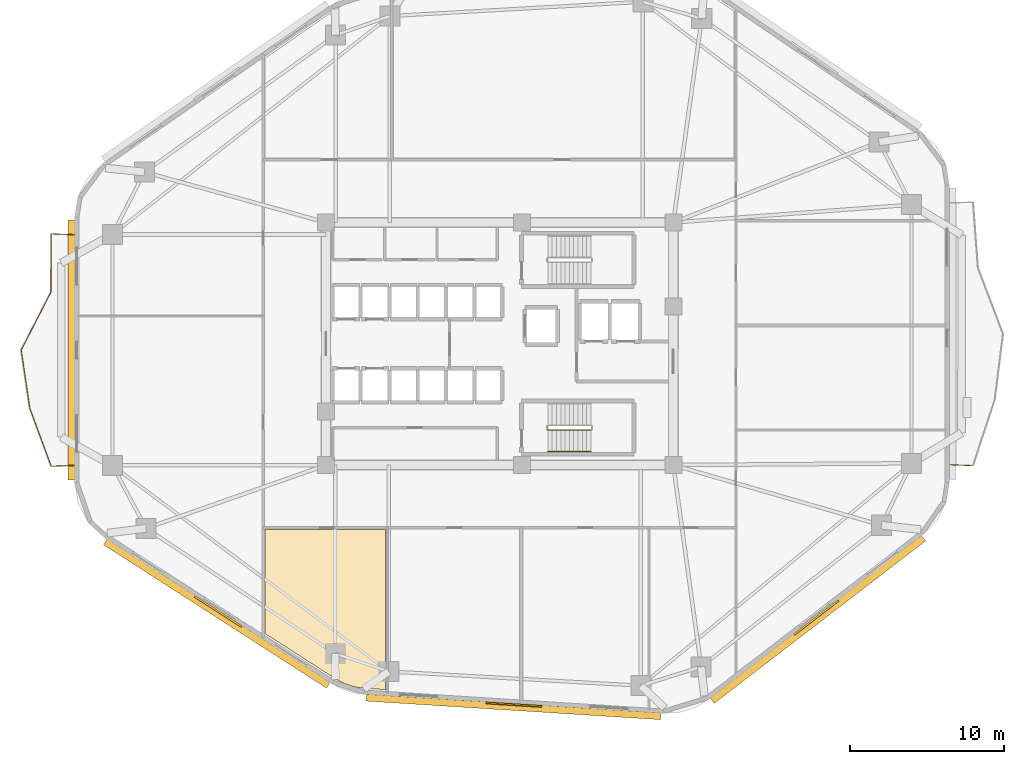
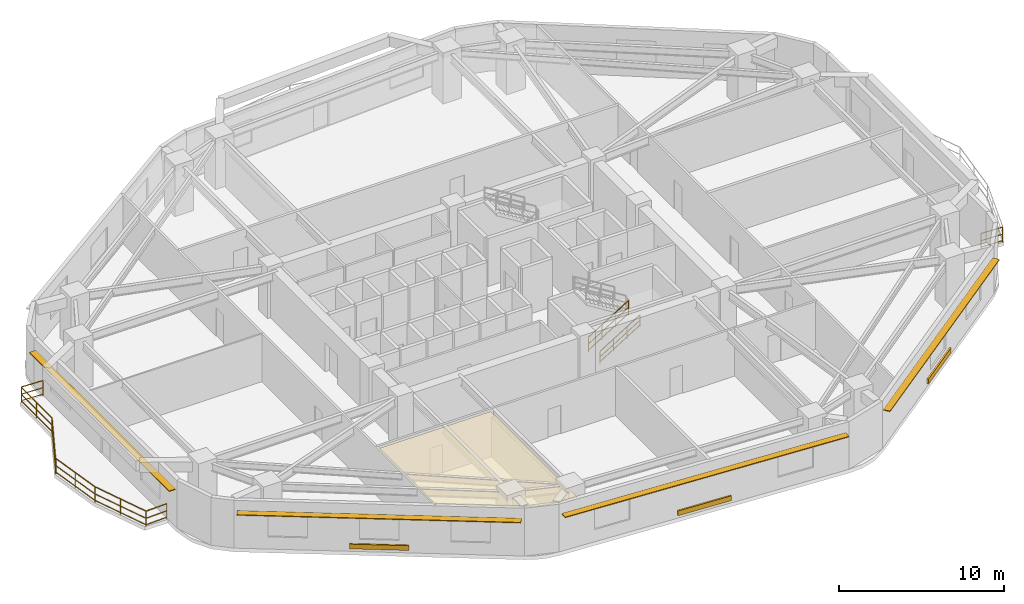
# One storey, part 7 of 9: 9 railings, 7 shading devices, 1 covering.
"""IFC4 building model written with IfcOpenShell, lengths in metres."""

from ifc_helpers import new_model, si_unit, direction, frame, origin, origin_2d, place, context, subcontext, project, spatial, polyline, rectangle, outline, extrude, material, layer, layer_set, type_object, element, save


model = new_model("IFC4")

# Units and contexts
model_context = context("Model", 3, precision=1e-05, world=origin(), true_north=direction((0.0, 1.0)))
body_context = subcontext(model_context, "Body", "Model", "MODEL_VIEW")
ifc_project = project(units=[si_unit("LENGTHUNIT", "METRE"), si_unit("AREAUNIT", "SQUARE_METRE"), si_unit("VOLUMEUNIT", "CUBIC_METRE"), si_unit("PLANEANGLEUNIT", "RADIAN"), si_unit("MASSUNIT", "GRAM", prefix="KILO")], contexts=[model_context])

# Site, building, storey
site_placement = place(None, origin())
site = spatial("IfcSite", under=ifc_project, at=site_placement, CompositionType="ELEMENT")
building_placement = place(site_placement, origin())
building = spatial("IfcBuilding", under=site, at=building_placement, Name="Zulverin Broadcast Headquarters", CompositionType="ELEMENT")
storey_placement = place(building_placement, frame((0.0, 0.0, 59.199951171875)))
storey = spatial("IfcBuildingStorey", under=building, at=storey_placement, Name="L14", CompositionType="ELEMENT", Elevation=59.199951171875)

# Covering
ifc_material_1 = material(Name="Perforated pale-metal acoustic baffle ceiling", Category="aluminium")
ifc_layer_1 = layer(ifc_material_1, 0.0400390625, Name="Perforated pale-metal acoustic baffle ceiling", Category="aluminium")
ifc_layer_set_1 = layer_set([ifc_layer_1], Name="Perforated pale-metal acoustic baffle ceiling")
covering_type = type_object("IfcCoveringType", Name="COV-CEIL-ACOU", PredefinedType="CEILING", material=ifc_layer_set_1)
covering_placement = place(storey_placement, frame((0.0, 0.0, 3.344970703125)))
element("IfcCovering", 1, at=covering_placement, inside=storey, type_object=covering_type, Name="L14 Acoustic Baffle Ceiling 03", PredefinedType="CEILING", context=body_context, shape_type="SweptSolid", body=[
    extrude(outline(polyline([(21.77197265625, 13.132080078125), (21.77197265625, 6.3759765625), (26.347900390625, 3.43603515625), (26.931884765625, 3.1279296875), (27.5439453125, 2.924072265625), (28.19189453125, 2.83203125), (29.580078125, 2.743896484375), (29.580078125, 13.132080078125), (21.77197265625, 13.132080078125)])), origin(), (0.0, 0.0, 1.0), 0.0400390625),
])

# Railings
ifc_material_2 = material(Name="Brushed stainless steel & laminated glass balustrade", Category="steel")
railing_type_1 = type_object("IfcRailingType", Name="RL-GUARD-1150", PredefinedType="GUARDRAIL", material=ifc_material_2)
railing_1_placement = place(storey_placement, frame((66.239990234375, 17.343505859375, 0.0)))
element("IfcRailing", 2, at=railing_1_placement, inside=storey, type_object=railing_type_1, Name="L14 Vertical-Forest Balcony Guardrail BAL_E Segment 01", PredefinedType="GUARDRAIL", context=body_context, shape_type="SweptSolid", body=[
    extrude(rectangle(XDim=0.048095703125, YDim=0.048095703125, at=origin_2d()), frame((0.0, 0.0, 1.1259765625), z_axis=(0.999174410196, -0.040626321628, 0.0), x_axis=(0.040626321628, 0.999174410196, 0.0)), (0.0, 0.0, 1.0), 1.46630859375),
    extrude(rectangle(XDim=0.0419921875, YDim=0.0419921875, at=origin_2d()), frame((0.0, 0.0, 0.597900390625), z_axis=(0.999174410196, -0.040626321628, 0.0), x_axis=(0.040626321628, 0.999174410196, 0.0)), (0.0, 0.0, 1.0), 1.46630859375),
    extrude(rectangle(XDim=0.0419921875, YDim=0.0419921875, at=origin_2d()), frame((0.0, 0.0, 0.1201171875), z_axis=(0.999174410196, -0.040626321628, 0.0), x_axis=(0.040626321628, 0.999174410196, 0.0)), (0.0, 0.0, 1.0), 1.46630859375),
    extrude(rectangle(XDim=0.0419921875, YDim=0.0419921875, at=origin_2d()), origin(), (0.0, 0.0, 1.0), 1.101806640625),
    extrude(rectangle(XDim=0.0419921875, YDim=0.0419921875, at=origin_2d()), frame((1.465087890625, -0.0595703125, 0.0)), (0.0, 0.0, 1.0), 1.101806640625),
])
railing_2_placement = place(storey_placement, frame((9.360107421875, 32.284423828125, 0.0)))
element("IfcRailing", 3, at=railing_2_placement, inside=storey, type_object=railing_type_1, Name="L14 Vertical-Forest Balcony Guardrail BAL_W Segment 01", PredefinedType="GUARDRAIL", context=body_context, shape_type="SweptSolid", body=[
    extrude(rectangle(XDim=0.048095703125, YDim=0.048095703125, at=origin_2d()), frame((0.0, 0.0, 1.1259765625), z_axis=(-0.999181155166, 0.040460093435, 0.0), x_axis=(-0.040460093435, -0.999181155166, 0.0)), (0.0, 0.0, 1.0), 1.46630859375),
    extrude(rectangle(XDim=0.0419921875, YDim=0.0419921875, at=origin_2d()), frame((0.0, 0.0, 0.597900390625), z_axis=(-0.999181155166, 0.040460093435, 0.0), x_axis=(-0.040460093435, -0.999181155166, 0.0)), (0.0, 0.0, 1.0), 1.46630859375),
    extrude(rectangle(XDim=0.0419921875, YDim=0.0419921875, at=origin_2d()), frame((0.0, 0.0, 0.1201171875), z_axis=(-0.999181155166, 0.040460093435, 0.0), x_axis=(-0.040460093435, -0.999181155166, 0.0)), (0.0, 0.0, 1.0), 1.46630859375),
    extrude(rectangle(XDim=0.0419921875, YDim=0.0419921875, at=origin_2d()), origin(), (0.0, 0.0, 1.0), 1.101806640625),
    extrude(rectangle(XDim=0.0419921875, YDim=0.0419921875, at=origin_2d()), frame((-1.465087890625, 0.059326171875, 0.0)), (0.0, 0.0, 1.0), 1.101806640625),
])
railing_3_placement = place(storey_placement, frame((7.8798828125, 32.329345703125, 0.0)))
element("IfcRailing", 4, at=railing_3_placement, inside=storey, type_object=railing_type_1, Name="L14 Vertical-Forest Balcony Guardrail BAL_W Segment 02", PredefinedType="GUARDRAIL", context=body_context, shape_type="SweptSolid", body=[
    extrude(rectangle(XDim=0.048095703125, YDim=0.048095703125, at=origin_2d()), frame((0.0, 0.0, 1.1259765625), z_axis=(-0.003911312976, -0.999992350786, 0.0), x_axis=(0.999992350786, -0.003911312976, 0.0)), (0.0, 0.0, 1.0), 3.7451171875),
    extrude(rectangle(XDim=0.0419921875, YDim=0.0419921875, at=origin_2d()), frame((0.0, 0.0, 0.597900390625), z_axis=(-0.003911312976, -0.999992350786, 0.0), x_axis=(0.999992350786, -0.003911312976, 0.0)), (0.0, 0.0, 1.0), 3.7451171875),
    extrude(rectangle(XDim=0.0419921875, YDim=0.0419921875, at=origin_2d()), frame((0.0, 0.0, 0.1201171875), z_axis=(-0.003911312976, -0.999992350786, 0.0), x_axis=(0.999992350786, -0.003911312976, 0.0)), (0.0, 0.0, 1.0), 3.7451171875),
    extrude(rectangle(XDim=0.0419921875, YDim=0.0419921875, at=origin_2d()), origin(), (0.0, 0.0, 1.0), 1.101806640625),
    extrude(rectangle(XDim=0.0419921875, YDim=0.0419921875, at=origin_2d()), frame((-0.00732421875, -1.87255859375, 0.0)), (0.0, 0.0, 1.0), 1.101806640625),
    extrude(rectangle(XDim=0.0419921875, YDim=0.0419921875, at=origin_2d()), frame((-0.0146484375, -3.7451171875, 0.0)), (0.0, 0.0, 1.0), 1.101806640625),
])
railing_4_placement = place(storey_placement, frame((7.8583984375, 28.555908203125, 0.0)))
element("IfcRailing", 5, at=railing_4_placement, inside=storey, type_object=railing_type_1, Name="L14 Vertical-Forest Balcony Guardrail BAL_W Segment 03", PredefinedType="GUARDRAIL", context=body_context, shape_type="SweptSolid", body=[
    extrude(rectangle(XDim=0.048095703125, YDim=0.048095703125, at=origin_2d()), frame((0.0, 0.0, 1.1259765625), z_axis=(-0.456186033924, -0.889884432077, 0.0), x_axis=(0.889884432077, -0.456186033924, 0.0)), (0.0, 0.0, 1.0), 4.21240234375),
    extrude(rectangle(XDim=0.0419921875, YDim=0.0419921875, at=origin_2d()), frame((0.0, 0.0, 0.597900390625), z_axis=(-0.456186033924, -0.889884432077, 0.0), x_axis=(0.889884432077, -0.456186033924, 0.0)), (0.0, 0.0, 1.0), 4.21240234375),
    extrude(rectangle(XDim=0.0419921875, YDim=0.0419921875, at=origin_2d()), frame((0.0, 0.0, 0.1201171875), z_axis=(-0.456186033924, -0.889884432077, 0.0), x_axis=(0.889884432077, -0.456186033924, 0.0)), (0.0, 0.0, 1.0), 4.21240234375),
    extrude(rectangle(XDim=0.0419921875, YDim=0.0419921875, at=origin_2d()), origin(), (0.0, 0.0, 1.0), 1.101806640625),
    extrude(rectangle(XDim=0.0419921875, YDim=0.0419921875, at=origin_2d()), frame((-0.9609375, -1.874267578125, 0.0)), (0.0, 0.0, 1.0), 1.101806640625),
    extrude(rectangle(XDim=0.0419921875, YDim=0.0419921875, at=origin_2d()), frame((-1.921630859375, -3.74853515625, 0.0)), (0.0, 0.0, 1.0), 1.101806640625),
])
railing_5_placement = place(storey_placement, frame((5.93212890625, 24.779296875, 0.0)))
element("IfcRailing", 6, at=railing_5_placement, inside=storey, type_object=railing_type_1, Name="L14 Vertical-Forest Balcony Guardrail BAL_W Segment 04", PredefinedType="GUARDRAIL", context=body_context, shape_type="SweptSolid", body=[
    extrude(rectangle(XDim=0.048095703125, YDim=0.048095703125, at=origin_2d()), frame((0.0, 0.0, 1.1259765625), z_axis=(0.146429483954, -0.989221110889, 0.0), x_axis=(0.989221110889, 0.146429483954, 0.0)), (0.0, 0.0, 1.0), 3.786376953125),
    extrude(rectangle(XDim=0.0419921875, YDim=0.0419921875, at=origin_2d()), frame((0.0, 0.0, 0.597900390625), z_axis=(0.146429483954, -0.989221110889, 0.0), x_axis=(0.989221110889, 0.146429483954, 0.0)), (0.0, 0.0, 1.0), 3.786376953125),
    extrude(rectangle(XDim=0.0419921875, YDim=0.0419921875, at=origin_2d()), frame((0.0, 0.0, 0.1201171875), z_axis=(0.146429483954, -0.989221110889, 0.0), x_axis=(0.989221110889, 0.146429483954, 0.0)), (0.0, 0.0, 1.0), 3.786376953125),
    extrude(rectangle(XDim=0.0419921875, YDim=0.0419921875, at=origin_2d()), origin(), (0.0, 0.0, 1.0), 1.101806640625),
    extrude(rectangle(XDim=0.0419921875, YDim=0.0419921875, at=origin_2d()), frame((0.27734375, -1.872802734375, 0.0)), (0.0, 0.0, 1.0), 1.101806640625),
    extrude(rectangle(XDim=0.0419921875, YDim=0.0419921875, at=origin_2d()), frame((0.554443359375, -3.74560546875, 0.0)), (0.0, 0.0, 1.0), 1.101806640625),
])
railing_6_placement = place(storey_placement, frame((6.493896484375, 21.004638671875, 0.0)))
element("IfcRailing", 7, at=railing_6_placement, inside=storey, type_object=railing_type_1, Name="L14 Vertical-Forest Balcony Guardrail BAL_W Segment 05", PredefinedType="GUARDRAIL", context=body_context, shape_type="SweptSolid", body=[
    extrude(rectangle(XDim=0.048095703125, YDim=0.048095703125, at=origin_2d()), frame((0.0, 0.0, 1.1259765625), z_axis=(0.345804522043, -0.93830657705, 0.0), x_axis=(0.93830657705, 0.345804522043, 0.0)), (0.0, 0.0, 1.0), 3.9931640625),
    extrude(rectangle(XDim=0.0419921875, YDim=0.0419921875, at=origin_2d()), frame((0.0, 0.0, 0.597900390625), z_axis=(0.345804522043, -0.93830657705, 0.0), x_axis=(0.93830657705, 0.345804522043, 0.0)), (0.0, 0.0, 1.0), 3.9931640625),
    extrude(rectangle(XDim=0.0419921875, YDim=0.0419921875, at=origin_2d()), frame((0.0, 0.0, 0.1201171875), z_axis=(0.345804522043, -0.93830657705, 0.0), x_axis=(0.93830657705, 0.345804522043, 0.0)), (0.0, 0.0, 1.0), 3.9931640625),
    extrude(rectangle(XDim=0.0419921875, YDim=0.0419921875, at=origin_2d()), origin(), (0.0, 0.0, 1.0), 1.101806640625),
    extrude(rectangle(XDim=0.0419921875, YDim=0.0419921875, at=origin_2d()), frame((0.6904296875, -1.87353515625, 0.0)), (0.0, 0.0, 1.0), 1.101806640625),
    extrude(rectangle(XDim=0.0419921875, YDim=0.0419921875, at=origin_2d()), frame((1.380859375, -3.746826171875, 0.0)), (0.0, 0.0, 1.0), 1.101806640625),
])
railing_7_placement = place(storey_placement, frame((7.89501953125, 17.244140625, 0.0)))
element("IfcRailing", 8, at=railing_7_placement, inside=storey, type_object=railing_type_1, Name="L14 Vertical-Forest Balcony Guardrail BAL_W Segment 06", PredefinedType="GUARDRAIL", context=body_context, shape_type="SweptSolid", body=[
    extrude(rectangle(XDim=0.048095703125, YDim=0.048095703125, at=origin_2d()), frame((0.0, 0.0, 1.1259765625), z_axis=(0.999174410196, 0.040626321628, 0.0), x_axis=(-0.040626321628, 0.999174410196, 0.0)), (0.0, 0.0, 1.0), 1.46630859375),
    extrude(rectangle(XDim=0.0419921875, YDim=0.0419921875, at=origin_2d()), frame((0.0, 0.0, 0.597900390625), z_axis=(0.999174410196, 0.040626321628, 0.0), x_axis=(-0.040626321628, 0.999174410196, 0.0)), (0.0, 0.0, 1.0), 1.46630859375),
    extrude(rectangle(XDim=0.0419921875, YDim=0.0419921875, at=origin_2d()), frame((0.0, 0.0, 0.1201171875), z_axis=(0.999174410196, 0.040626321628, 0.0), x_axis=(-0.040626321628, 0.999174410196, 0.0)), (0.0, 0.0, 1.0), 1.46630859375),
    extrude(rectangle(XDim=0.0419921875, YDim=0.0419921875, at=origin_2d()), origin(), (0.0, 0.0, 1.0), 1.101806640625),
    extrude(rectangle(XDim=0.0419921875, YDim=0.0419921875, at=origin_2d()), frame((1.465087890625, 0.0595703125, 0.0)), (0.0, 0.0, 1.0), 1.101806640625),
])
ifc_material_3 = material(Name="Painted galvanized steel tubular guardrail S355JR", Category="steel")
railing_type_2 = type_object("IfcRailingType", Name="RL-ST-GUARD", PredefinedType="GUARDRAIL", material=ifc_material_3)
railing_8_placement = place(storey_placement, frame((40.1298828125, 19.60009765625, 0.1728515625)))
element("IfcRailing", 9, at=railing_8_placement, inside=storey, type_object=railing_type_2, Name="L14 ST-2 stair guard 1", PredefinedType="GUARDRAIL", context=body_context, shape_type="SweptSolid", body=[
    extrude(rectangle(XDim=0.048095703125, YDim=0.048095703125, at=origin_2d()), frame((0.0, 0.0, 1.076171875), z_axis=(0.851089632645, 0.0, 0.525020415988), x_axis=(0.0, 1.0, 0.0)), (0.0, 0.0, 1.0), 3.2900390625),
    extrude(rectangle(XDim=0.0419921875, YDim=0.0419921875, at=origin_2d()), frame((0.0, 0.0, 0.572021484375), z_axis=(0.851089632645, 0.0, 0.525020415988), x_axis=(0.0, 1.0, 0.0)), (0.0, 0.0, 1.0), 3.2900390625),
    extrude(rectangle(XDim=0.0419921875, YDim=0.0419921875, at=origin_2d()), frame((0.0, 0.0, 0.1201171875), z_axis=(0.851089632645, 0.0, 0.525020415988), x_axis=(0.0, 1.0, 0.0)), (0.0, 0.0, 1.0), 3.2900390625),
    extrude(rectangle(XDim=0.0419921875, YDim=0.0419921875, at=origin_2d()), origin(), (0.0, 0.0, 1.0), 1.052001953125),
    extrude(rectangle(XDim=0.0419921875, YDim=0.0419921875, at=origin_2d()), frame((0.933349609375, 0.0, 0.57568359375)), (0.0, 0.0, 1.0), 1.052001953125),
    extrude(rectangle(XDim=0.0419921875, YDim=0.0419921875, at=origin_2d()), frame((1.86669921875, 0.0, 1.151611328125)), (0.0, 0.0, 1.0), 1.052001953125),
    extrude(rectangle(XDim=0.0419921875, YDim=0.0419921875, at=origin_2d()), frame((2.800048828125, 0.0, 1.727294921875)), (0.0, 0.0, 1.0), 1.052001953125),
])
ifc_material_4 = material(Name="Brushed stainless steel 48 mm handrail", Category="steel")
railing_type_3 = type_object("IfcRailingType", Name="RL-ST-HAND", PredefinedType="HANDRAIL", material=ifc_material_4)
railing_9_placement = place(storey_placement, frame((40.1298828125, 18.199951171875, 0.1728515625)))
element("IfcRailing", 10, at=railing_9_placement, inside=storey, type_object=railing_type_3, Name="L14 ST-2 stair handrail 1", PredefinedType="HANDRAIL", context=body_context, shape_type="SweptSolid", body=[
    extrude(rectangle(XDim=0.048095703125, YDim=0.048095703125, at=origin_2d()), frame((0.0, 0.0, 0.8759765625), z_axis=(0.851089632645, 0.0, 0.525020415988), x_axis=(0.0, 1.0, 0.0)), (0.0, 0.0, 1.0), 3.2900390625),
    extrude(rectangle(XDim=0.0419921875, YDim=0.0419921875, at=origin_2d()), frame((0.0, 0.0, 0.468017578125), z_axis=(0.851089632645, 0.0, 0.525020415988), x_axis=(0.0, 1.0, 0.0)), (0.0, 0.0, 1.0), 3.2900390625),
    extrude(rectangle(XDim=0.0419921875, YDim=0.0419921875, at=origin_2d()), frame((0.0, 0.0, 0.1201171875), z_axis=(0.851089632645, 0.0, 0.525020415988), x_axis=(0.0, 1.0, 0.0)), (0.0, 0.0, 1.0), 3.2900390625),
    extrude(rectangle(XDim=0.0419921875, YDim=0.0419921875, at=origin_2d()), origin(), (0.0, 0.0, 1.0), 0.851806640625),
    extrude(rectangle(XDim=0.0419921875, YDim=0.0419921875, at=origin_2d()), frame((0.933349609375, 0.0, 0.57568359375)), (0.0, 0.0, 1.0), 0.851806640625),
    extrude(rectangle(XDim=0.0419921875, YDim=0.0419921875, at=origin_2d()), frame((1.86669921875, 0.0, 1.151611328125)), (0.0, 0.0, 1.0), 0.851806640625),
    extrude(rectangle(XDim=0.0419921875, YDim=0.0419921875, at=origin_2d()), frame((2.800048828125, 0.0, 1.727294921875)), (0.0, 0.0, 1.0), 0.851806640625),
])

# Shading devices
ifc_material_5 = material(Name="Anodized pale-metal aluminium acoustic louvre", Category="aluminium")
shading_device_type_1 = type_object("IfcShadingDeviceType", Name="SHD-LOUVRE-350", PredefinedType="USERDEFINED", material=ifc_material_5)
for number, where, z_axis, x_axis, name in (
    (11, (37.9189453125, 1.775390625, 0.2451171875), (0.0, 0.0, 1.0), (0.998017182581, -0.062942062821, 0.0), "L14 Spandrel Intake Louvre 1"),
    (12, (57.56103515625, 7.425048828125, 0.2451171875), (0.0, 0.0, 1.0), (0.792933468586, 0.609308226102, 0.0), "L14 Spandrel Intake Louvre 2"),
    (13, (18.71630859375, 7.816162109375, 0.2451171875), (0.0, 0.0, 1.0), (0.841296678234, -0.540573676007, 0.0), "L14 Spandrel Intake Louvre 8"),
):
    element("IfcShadingDevice", number, at=place(storey_placement, frame(where, z_axis=z_axis, x_axis=x_axis)), inside=storey, type_object=shading_device_type_1, Name=name, ObjectType="LOUVRE", PredefinedType="USERDEFINED", context=body_context, shape_type="SweptSolid", body=[
        extrude(rectangle(XDim=3.60009765625, YDim=0.1201171875, at=origin_2d()), origin(), (0.0, 0.0, 1.0), 0.35009765625),
    ])
ifc_material_6 = material(Name="Anodized pale-metal aluminium sunshade", Category="aluminium")
ifc_layer_2 = layer(ifc_material_6, 0.06005859375, Name="Anodized pale-metal aluminium sunshade", Category="aluminium")
ifc_layer_set_2 = layer_set([ifc_layer_2], Name="Anodized pale-metal aluminium sunshade")
shading_device_type_2 = type_object("IfcShadingDeviceType", Name="SS-01_PALE_METAL_ALUMINIUM_SUNSHADE", PredefinedType="USERDEFINED", material=ifc_layer_set_2)
shading_device_1_placement = place(storey_placement, frame((37.908935546875, 1.61572265625, 2.7099609375), z_axis=(0.0, 0.0, 1.0), x_axis=(0.998017182581, -0.062942062821, 0.0)))
element("IfcShadingDevice", 14, at=shading_device_1_placement, inside=storey, type_object=shading_device_type_2, Name="L14 Horizontal Pale-Metal Sunshade Band 1", ObjectType="SUNSHADE", PredefinedType="USERDEFINED", context=body_context, shape_type="SweptSolid", body=[
    extrude(rectangle(XDim=19.177001953125, YDim=0.449951171875, at=origin_2d()), origin(), (0.0, 0.0, 1.0), 0.06005859375),
])
shading_device_2_placement = place(storey_placement, frame((57.658447265625, 7.29833984375, 2.7099609375), z_axis=(0.0, 0.0, 1.0), x_axis=(0.792933468586, 0.609308226102, 0.0)))
element("IfcShadingDevice", 15, at=shading_device_2_placement, inside=storey, type_object=shading_device_type_2, Name="L14 Horizontal Pale-Metal Sunshade Band 2", ObjectType="SUNSHADE", PredefinedType="USERDEFINED", context=body_context, shape_type="SweptSolid", body=[
    extrude(rectangle(XDim=17.312744140625, YDim=0.449951171875, at=origin_2d()), origin(), (0.0, 0.0, 1.0), 0.06005859375),
])
shading_device_3_placement = place(storey_placement, frame((9.199951171875, 24.7939453125, 2.7099609375), z_axis=(0.0, 0.0, 1.0), x_axis=(0.0, -1.0, 0.0)))
element("IfcShadingDevice", 16, at=shading_device_3_placement, inside=storey, type_object=shading_device_type_2, Name="L14 Horizontal Pale-Metal Sunshade Band 7", ObjectType="SUNSHADE", PredefinedType="USERDEFINED", context=body_context, shape_type="SweptSolid", body=[
    extrude(rectangle(XDim=16.90087890625, YDim=0.449951171875, at=origin_2d()), origin(), (0.0, 0.0, 1.0), 0.06005859375),
])
shading_device_4_placement = place(storey_placement, frame((18.6298828125, 7.681640625, 2.7099609375), z_axis=(0.0, 0.0, 1.0), x_axis=(0.841296678234, -0.540573676007, 0.0)))
element("IfcShadingDevice", 17, at=shading_device_4_placement, inside=storey, type_object=shading_device_type_2, Name="L14 Horizontal Pale-Metal Sunshade Band 8", ObjectType="SUNSHADE", PredefinedType="USERDEFINED", context=body_context, shape_type="SweptSolid", body=[
    extrude(rectangle(XDim=17.2119140625, YDim=0.449951171875, at=origin_2d()), origin(), (0.0, 0.0, 1.0), 0.06005859375),
])

save(model, "model.ifc")
